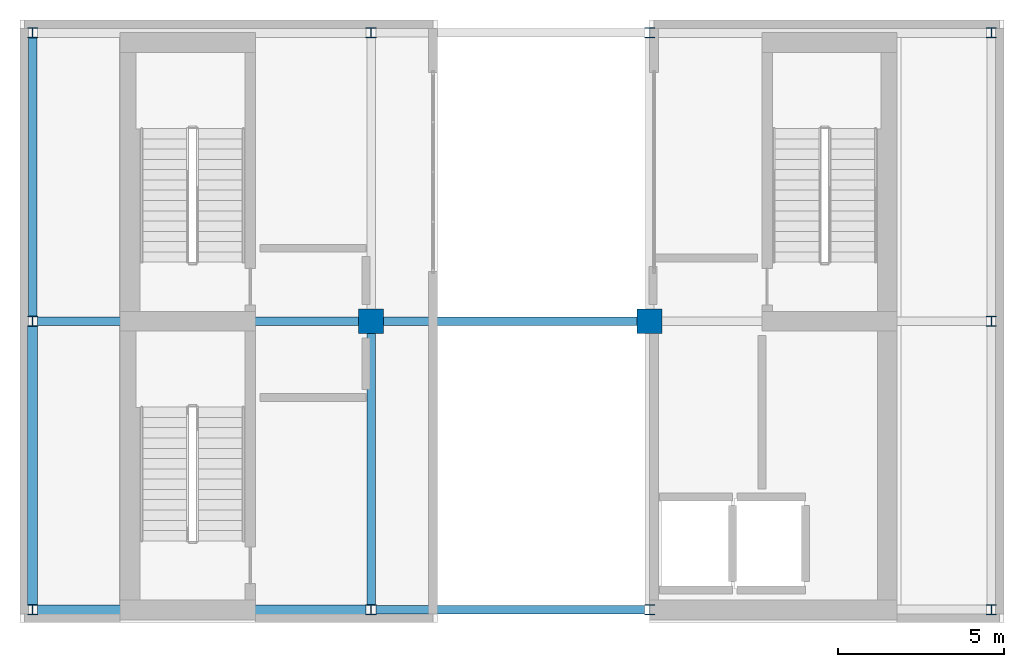
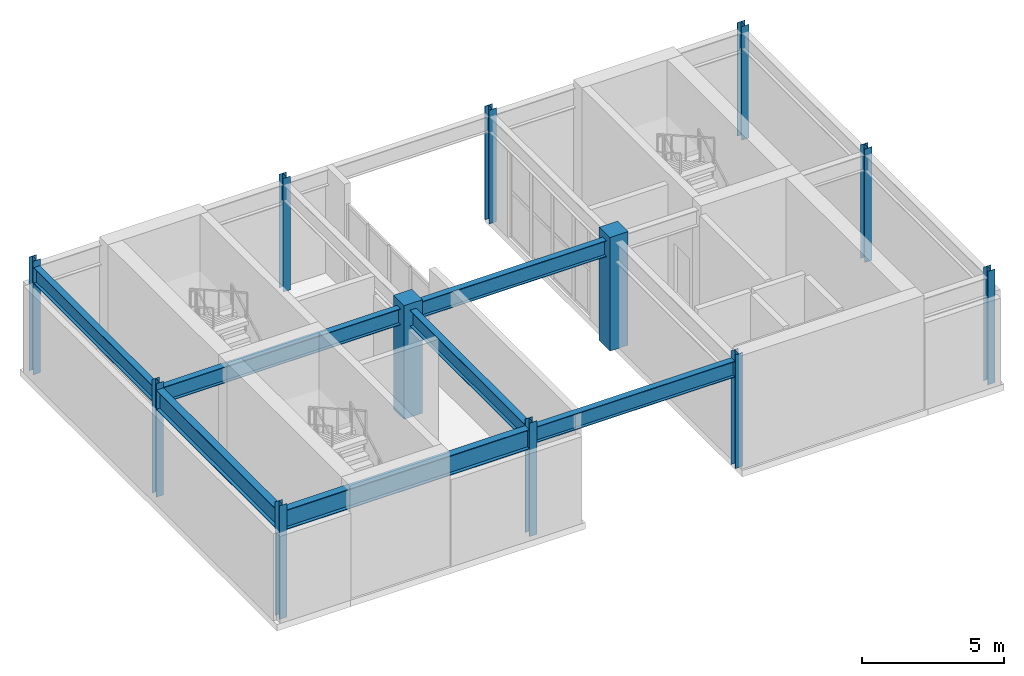
# One storey, part 1 of 9: 12 columns, 7 beams.
"""IFC4 building model written with IfcOpenShell, lengths in metres."""

from ifc_helpers import new_model, si_unit, direction, frame, origin, origin_2d, place, context, subcontext, project, spatial, rectangle, i_section, extrude, material, material_profile, profile_set, type_object, element, save


model = new_model("IFC4")

# Units and contexts
model_context = context("Model", 3, precision=1e-05, world=origin(), true_north=direction((0.0, 1.0)))
body_context = subcontext(model_context, "Body", "Model", "MODEL_VIEW")
ifc_project = project(units=[si_unit("LENGTHUNIT", "METRE"), si_unit("AREAUNIT", "SQUARE_METRE"), si_unit("VOLUMEUNIT", "CUBIC_METRE"), si_unit("PLANEANGLEUNIT", "RADIAN"), si_unit("MASSUNIT", "GRAM", prefix="KILO")], contexts=[model_context])

# Site, building, storey
site_placement = place(None, origin())
site = spatial("IfcSite", under=ifc_project, at=site_placement, CompositionType="ELEMENT")
building_placement = place(site_placement, origin())
building = spatial("IfcBuilding", under=site, at=building_placement, Name="Solanera Arch Residences", CompositionType="ELEMENT")
storey_placement = place(building_placement, frame((0.0, 0.0, 292.780029296875)))
storey = spatial("IfcBuildingStorey", under=building, at=storey_placement, Name="L83", CompositionType="ELEMENT", Elevation=292.780029296875)

# Columns
ifc_material_1 = material(Name="Concrete C40/50 (f'c = 45 MPa)", Category="concrete")
ifc_material_profile_1 = material_profile(ifc_material_1, rectangle(XDim=0.75, YDim=0.75, at=origin_2d()))
ifc_profile_set_1 = profile_set([ifc_material_profile_1], Name="Concrete C40/50 (f'c = 45 MPa)")
column_type_1 = type_object("IfcColumnType", Name="Structural Column RC-COL-750X750", PredefinedType="COLUMN", material=ifc_profile_set_1)
for number, where, z_axis, x_axis, name in (
    (1, (20.800048828125, 30.699951171875, 0.0), (0.0, 0.0, 1.0), (1.0, 0.0, 0.0), "COL-L83-CORE-W"),
    (2, (29.199951171875, 30.699951171875, 0.0), (0.0, 0.0, 1.0), (1.0, 0.0, 0.0), "COL-L83-CORE-E"),
):
    element("IfcColumn", number, at=place(storey_placement, frame(where, z_axis=z_axis, x_axis=x_axis)), inside=storey, type_object=column_type_1, Name=name, PredefinedType="COLUMN", context=body_context, shape_type="SweptSolid", body=[
        extrude(rectangle(XDim=0.75, YDim=0.75, at=origin_2d()), origin(), (0.0, 0.0, 1.0), 4.89990234375),
    ])
ifc_material_2 = material(Name="Steel S355 (ASTM A992 / A572 Grade 50)", Category="steel")
ifc_material_profile_2 = material_profile(ifc_material_2, i_section(OverallWidth=0.304931640625, OverallDepth=0.30810546875, WebThickness=0.010009765625, FlangeThickness=0.015380859375, at=origin_2d()))
ifc_profile_set_2 = profile_set([ifc_material_profile_2], Name="Steel S355 (ASTM A992 / A572 Grade 50)")
column_type_2 = type_object("IfcColumnType", Name="Structural Column W310X97", PredefinedType="COLUMN", material=ifc_profile_set_2)
for number, where, z_axis, x_axis, name in (
    (3, (10.60009765625, 22.0, 0.0), (0.0, 0.0, 1.0), (1.0, 0.0, 0.0), "COL-L83-CRN-01"),
    (4, (20.800048828125, 22.0, 0.0), (0.0, 0.0, 1.0), (1.0, 0.0, 0.0), "COL-L83-CRN-02"),
    (5, (10.60009765625, 30.699951171875, 0.0), (0.0, 0.0, 1.0), (1.0, 0.0, 0.0), "COL-L83-CRN-03"),
    (6, (10.60009765625, 39.39990234375, 0.0), (0.0, 0.0, 1.0), (1.0, 0.0, 0.0), "COL-L83-CRN-04"),
    (7, (20.800048828125, 39.39990234375, 0.0), (0.0, 0.0, 1.0), (1.0, 0.0, 0.0), "COL-L83-CRN-05"),
    (8, (29.199951171875, 22.0, 0.0), (0.0, 0.0, 1.0), (1.0, 0.0, 0.0), "COL-L83-CRN-06"),
    (9, (39.5, 22.0, 0.0), (0.0, 0.0, 1.0), (1.0, 0.0, 0.0), "COL-L83-CRN-07"),
    (10, (39.5, 30.699951171875, 0.0), (0.0, 0.0, 1.0), (1.0, 0.0, 0.0), "COL-L83-CRN-08"),
    (11, (29.199951171875, 39.39990234375, 0.0), (0.0, 0.0, 1.0), (1.0, 0.0, 0.0), "COL-L83-CRN-09"),
    (12, (39.5, 39.39990234375, 0.0), (0.0, 0.0, 1.0), (1.0, 0.0, 0.0), "COL-L83-CRN-10"),
):
    element("IfcColumn", number, at=place(storey_placement, frame(where, z_axis=z_axis, x_axis=x_axis)), inside=storey, type_object=column_type_2, Name=name, PredefinedType="COLUMN", context=body_context, shape_type="SweptSolid", body=[
        extrude(i_section(OverallWidth=0.304931640625, OverallDepth=0.30810546875, WebThickness=0.010009765625, FlangeThickness=0.015380859375, at=origin_2d()), origin(), (0.0, 0.0, 1.0), 4.89990234375),
    ])

# Beams
ifc_material_3 = material(Name="Steel S355 (ASTM A992 / A572 Grade 50)", Category="steel")
ifc_material_profile_3 = material_profile(ifc_material_3, i_section(OverallWidth=0.256103515625, OverallDepth=0.693115234375, WebThickness=0.014404296875, FlangeThickness=0.023681640625, at=origin_2d()))
ifc_profile_set_3 = profile_set([ifc_material_profile_3], Name="Steel S355 (ASTM A992 / A572 Grade 50)")
beam_type_1 = type_object("IfcBeamType", Name="Primary Beam W690X170", PredefinedType="BEAM", material=ifc_profile_set_3)
beam_1_placement = place(storey_placement, frame((10.751953125, 30.699951171875, 4.27294921875), z_axis=(1.0, 0.0, 0.0), x_axis=(0.0, 1.0, 0.0)))
element("IfcBeam", 13, at=beam_1_placement, inside=storey, type_object=beam_type_1, Name="BM-L83-CR-WM", PredefinedType="BEAM", context=body_context, shape_type="SweptSolid", body=[
    extrude(i_section(OverallWidth=0.256103515625, OverallDepth=0.693115234375, WebThickness=0.014404296875, FlangeThickness=0.023681640625, at=origin_2d()), origin(), (0.0, 0.0, 1.0), 9.89599609375),
])
beam_2_placement = place(storey_placement, frame((10.60009765625, 30.85400390625, 4.27294921875), z_axis=(0.0, 1.0, 0.0), x_axis=(-1.0, 0.0, 0.0)))
element("IfcBeam", 14, at=beam_2_placement, inside=storey, type_object=beam_type_1, Name="BM-L83-CR-W2", PredefinedType="BEAM", context=body_context, shape_type="SweptSolid", body=[
    extrude(i_section(OverallWidth=0.256103515625, OverallDepth=0.693115234375, WebThickness=0.014404296875, FlangeThickness=0.023681640625, at=origin_2d()), origin(), (0.0, 0.0, 1.0), 8.39208984375),
])
beam_3_placement = place(storey_placement, frame((20.800048828125, 22.154052734375, 4.27294921875), z_axis=(0.0, 1.0, 0.0), x_axis=(-1.0, 0.0, 0.0)))
element("IfcBeam", 15, at=beam_3_placement, inside=storey, type_object=beam_type_1, Name="BM-L83-CR-W3", PredefinedType="BEAM", context=body_context, shape_type="SweptSolid", body=[
    extrude(i_section(OverallWidth=0.256103515625, OverallDepth=0.693115234375, WebThickness=0.014404296875, FlangeThickness=0.023681640625, at=origin_2d()), origin(), (0.0, 0.0, 1.0), 8.391845703125),
])
for number, where, z_axis, x_axis, name in (
    (16, (20.951904296875, 22.0, 4.27294921875), (1.0, 0.0, 0.0), (0.0, 1.0, 0.0), "BM-L83-CR-TIE-S"),
    (17, (20.951904296875, 30.699951171875, 4.27294921875), (1.0, 0.0, 0.0), (0.0, 1.0, 0.0), "BM-L83-CR-TIE-C"),
):
    element("IfcBeam", number, at=place(storey_placement, frame(where, z_axis=z_axis, x_axis=x_axis)), inside=storey, type_object=beam_type_1, Name=name, PredefinedType="BEAM", context=body_context, shape_type="SweptSolid", body=[
        extrude(i_section(OverallWidth=0.256103515625, OverallDepth=0.693115234375, WebThickness=0.014404296875, FlangeThickness=0.023681640625, at=origin_2d()), origin(), (0.0, 0.0, 1.0), 8.09619140625),
    ])
ifc_material_4 = material(Name="Steel S355 (ASTM A992 / A572 Grade 50)", Category="steel")
ifc_material_profile_4 = material_profile(ifc_material_4, i_section(OverallWidth=0.2939453125, OverallDepth=0.85107421875, WebThickness=0.01611328125, FlangeThickness=0.02685546875, at=origin_2d()))
ifc_profile_set_4 = profile_set([ifc_material_profile_4], Name="Steel S355 (ASTM A992 / A572 Grade 50)")
beam_type_2 = type_object("IfcBeamType", Name="Primary Beam W840X226", PredefinedType="BEAM", material=ifc_profile_set_4)
beam_4_placement = place(storey_placement, frame((10.751953125, 22.0, 4.194091796875), z_axis=(1.0, 0.0, 0.0), x_axis=(0.0, 1.0, 0.0)))
element("IfcBeam", 18, at=beam_4_placement, inside=storey, type_object=beam_type_2, Name="BM-L83-CR-WS", PredefinedType="BEAM", context=body_context, shape_type="SweptSolid", body=[
    extrude(i_section(OverallWidth=0.2939453125, OverallDepth=0.85107421875, WebThickness=0.01611328125, FlangeThickness=0.02685546875, at=origin_2d()), origin(), (0.0, 0.0, 1.0), 9.89599609375),
])
beam_5_placement = place(storey_placement, frame((10.60009765625, 22.154052734375, 4.194091796875), z_axis=(0.0, 1.0, 0.0), x_axis=(-1.0, 0.0, 0.0)))
element("IfcBeam", 19, at=beam_5_placement, inside=storey, type_object=beam_type_2, Name="BM-L83-CR-W1", PredefinedType="BEAM", context=body_context, shape_type="SweptSolid", body=[
    extrude(i_section(OverallWidth=0.2939453125, OverallDepth=0.85107421875, WebThickness=0.01611328125, FlangeThickness=0.02685546875, at=origin_2d()), origin(), (0.0, 0.0, 1.0), 8.391845703125),
])

save(model, "model.ifc")
